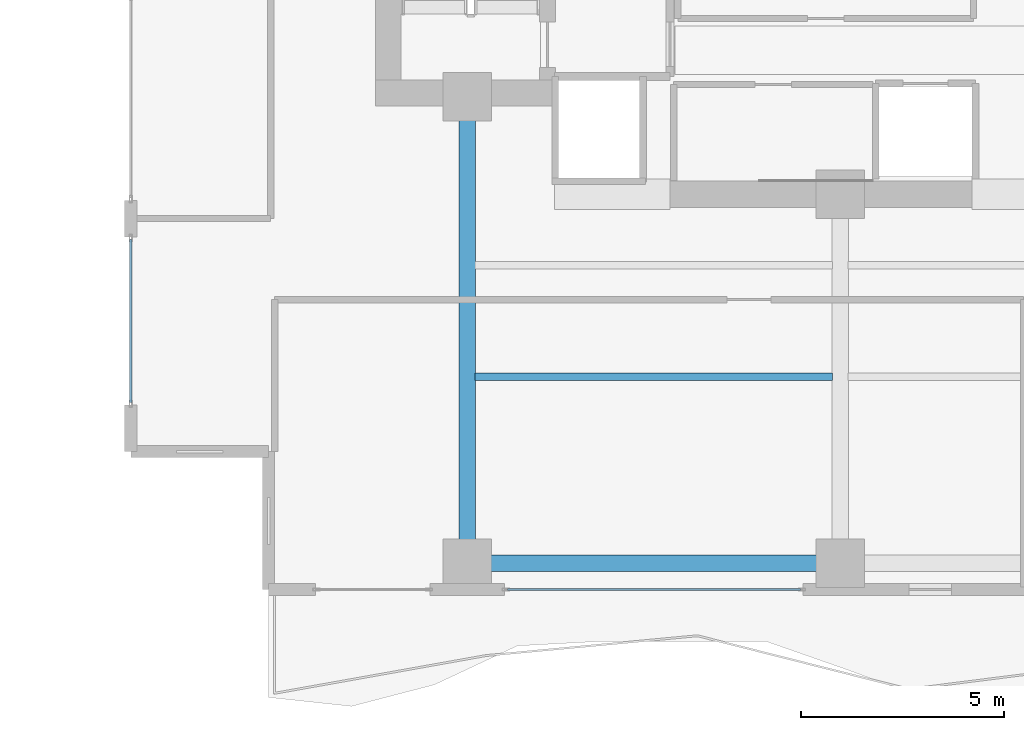
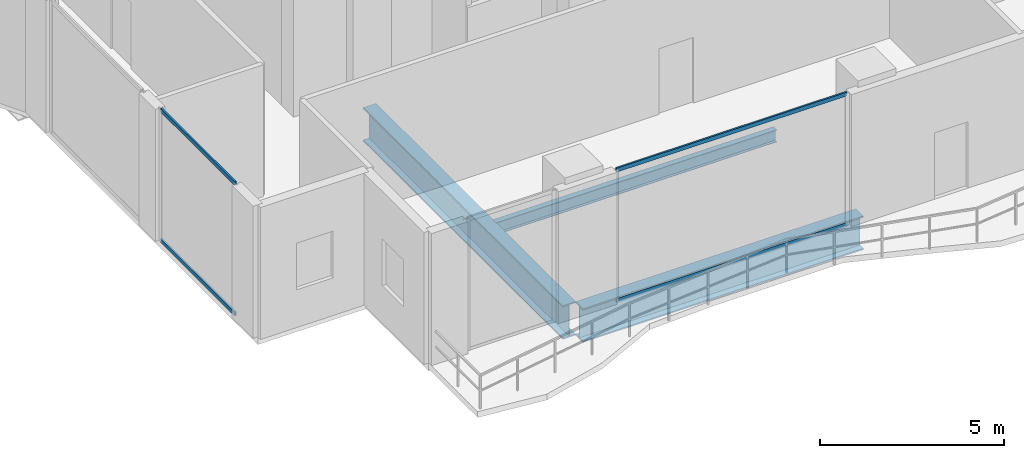
# One storey, part 3 of 33: 4 members, 3 beams, 2 elements without a shape of their own.
"""IFC4 building model written with IfcOpenShell, lengths in metres."""

from ifc_helpers import new_model, si_unit, direction, frame, origin, origin_2d, place, context, subcontext, project, spatial, hollow_rectangle, i_section, extrude, material, layer, layer_set, material_profile, profile_set, type_object, element, aggregate, save


model = new_model("IFC4")

# Units and contexts
model_context = context("Model", 3, precision=1e-05, world=origin(), true_north=direction((0.0, 1.0)))
body_context = subcontext(model_context, "Body", "Model", "MODEL_VIEW")
ifc_project = project(units=[si_unit("LENGTHUNIT", "METRE"), si_unit("AREAUNIT", "SQUARE_METRE"), si_unit("VOLUMEUNIT", "CUBIC_METRE"), si_unit("PLANEANGLEUNIT", "RADIAN"), si_unit("MASSUNIT", "GRAM", prefix="KILO")], contexts=[model_context])

# Site, building, storey
site_placement = place(None, origin())
site = spatial("IfcSite", under=ifc_project, at=site_placement, CompositionType="ELEMENT")
building_placement = place(site_placement, origin())
building = spatial("IfcBuilding", under=site, at=building_placement, Name="Zuhayl Quay Hotel", CompositionType="ELEMENT")
storey_placement = place(building_placement, frame((0.0, 0.0, 168.199951171875)))
storey = spatial("IfcBuildingStorey", under=building, at=storey_placement, Name="L42", CompositionType="ELEMENT", Elevation=168.199951171875)

# Beams
ifc_material_1 = material(Name="Steel ASTM A992 Grade 50", Category="steel")
ifc_material_profile_1 = material_profile(ifc_material_1, i_section(OverallWidth=0.177978515625, OverallDepth=0.406005859375, WebThickness=0.0078125, FlangeThickness=0.0126953125, at=origin_2d()), Name="W16X40")
ifc_profile_set_1 = profile_set([ifc_material_profile_1], Name="Steel ASTM A992 Grade 50")
beam_type_1 = type_object("IfcBeamType", Name="BM_J2B_W16X40", PredefinedType="JOIST", material=ifc_profile_set_1)
beam_1_placement = place(storey_placement, frame((-13.60595703125, -2.35009765625, -0.462890625), z_axis=(1.0, 0.0, 0.0), x_axis=(0.0, 1.0, 0.0)))
element("IfcBeam", 1, at=beam_1_placement, inside=storey, type_object=beam_type_1, Name="L42 Floor Beam FJ_L42_7_1", PredefinedType="JOIST", context=body_context, shape_type="SweptSolid", body=[
    extrude(i_section(OverallWidth=0.177978515625, OverallDepth=0.406005859375, WebThickness=0.0078125, FlangeThickness=0.0126953125, at=origin_2d()), origin(), (0.0, 0.0, 1.0), 8.81201171875),
])
ifc_material_2 = material(Name="Steel ASTM A913 Grade 65", Category="steel")
ifc_material_profile_2 = material_profile(ifc_material_2, i_section(OverallWidth=0.404052734375, OverallDepth=1.117919921875, WebThickness=0.026123046875, FlangeThickness=0.044921875, at=origin_2d()), Name="W44X335")
ifc_profile_set_2 = profile_set([ifc_material_profile_2], Name="Steel ASTM A913 Grade 65")
beam_type_2 = type_object("IfcBeamType", Name="BM_TG1_W44X335", PredefinedType="BEAM", material=ifc_profile_set_2)
beam_2_placement = place(storey_placement, frame((-13.60009765625, -6.949951171875, -0.81884765625), z_axis=(1.0, 0.0, 0.0), x_axis=(0.0, 1.0, 0.0)))
element("IfcBeam", 2, at=beam_2_placement, inside=storey, type_object=beam_type_2, Name="L42 Floor Beam RG_L42_01", PredefinedType="BEAM", context=body_context, shape_type="SweptSolid", body=[
    extrude(i_section(OverallWidth=0.404052734375, OverallDepth=1.117919921875, WebThickness=0.026123046875, FlangeThickness=0.044921875, at=origin_2d()), origin(), (0.0, 0.0, 1.0), 8.800048828125),
])
beam_3_placement = place(storey_placement, frame((-13.800048828125, -6.75, -0.81884765625), z_axis=(0.0, 1.0, 0.0), x_axis=(-1.0, 0.0, 0.0)))
element("IfcBeam", 3, at=beam_3_placement, inside=storey, type_object=beam_type_2, Name="L42 Floor Beam FG_S_L42_1", PredefinedType="BEAM", context=body_context, shape_type="SweptSolid", body=[
    extrude(i_section(OverallWidth=0.404052734375, OverallDepth=1.117919921875, WebThickness=0.026123046875, FlangeThickness=0.044921875, at=origin_2d()), origin(), (0.0, 0.0, 1.0), 10.85009765625),
])

# Curtain wall, members
ifc_material_3 = material(Name="Anodised Aluminium 6063-T6", Category="aluminium")
ifc_layer = layer(ifc_material_3, 0.175048828125, Name="Anodised Aluminium 6063-T6", Category="aluminium")
ifc_layer_set = layer_set([ifc_layer], Name="Anodised Aluminium 6063-T6")
curtain_wall_type = type_object("IfcCurtainWallType", Name="CW_SYS_Z3", PredefinedType="USERDEFINED", material=ifc_layer_set)
curtain_wall_1_placement = place(storey_placement, origin())
curtain_wall_1 = element("IfcCurtainWall", 4, at=curtain_wall_1_placement, inside=storey, type_object=curtain_wall_type, Name="L42 Curtain Wall ENV_L42_E02_CW1", ObjectType="UNITISED CURTAIN WALL", PredefinedType="USERDEFINED")
ifc_material_4 = material(Name="Black-anodised aluminium 6063-T6", Category="aluminium")
ifc_material_profile_3 = material_profile(ifc_material_4, hollow_rectangle(XDim=0.054931640625, YDim=0.1298828125, WallThickness=0.0029296875, at=origin_2d()), Name="ALU130X55")
ifc_profile_set_3 = profile_set([ifc_material_profile_3], Name="Black-anodised aluminium 6063-T6")
member_type = type_object("IfcMemberType", Name="MB_CW_TRN_130", PredefinedType="USERDEFINED", material=ifc_profile_set_3)
member_1_placement = place(storey_placement, frame((-22.10009765625, -2.985107421875, 0.027587890625), z_axis=(0.0, 1.0, 0.0), x_axis=(-1.0, 0.0, 0.0)))
member_1 = element("IfcMember", 5, at=member_1_placement, type_object=member_type, Name="CW-Z3 transom 1.1", ObjectType="TRANSOM", PredefinedType="USERDEFINED", context=body_context, shape_type="SweptSolid", body=[
    extrude(hollow_rectangle(XDim=0.054931640625, YDim=0.1298828125, WallThickness=0.0029296875, at=origin_2d()), origin(), (0.0, 0.0, 1.0), 4.02001953125),
])
member_2_placement = place(storey_placement, frame((-22.10009765625, -2.985107421875, 4.3525390625), z_axis=(0.0, 1.0, 0.0), x_axis=(-1.0, 0.0, 0.0)))
member_2 = element("IfcMember", 6, at=member_2_placement, type_object=member_type, Name="CW-Z3 transom 1.2", ObjectType="TRANSOM", PredefinedType="USERDEFINED", context=body_context, shape_type="SweptSolid", body=[
    extrude(hollow_rectangle(XDim=0.054931640625, YDim=0.1298828125, WallThickness=0.0029296875, at=origin_2d()), origin(), (0.0, 0.0, 1.0), 4.02001953125),
])
aggregate(curtain_wall_1, [member_1, member_2])

curtain_wall_2_placement = place(storey_placement, origin())
curtain_wall_2 = element("IfcCurtainWall", 7, at=curtain_wall_2_placement, inside=storey, type_object=curtain_wall_type, Name="L42 Curtain Wall ENV_L42_S_CW4", ObjectType="UNITISED CURTAIN WALL", PredefinedType="USERDEFINED")
member_3_placement = place(storey_placement, frame((-5.5849609375, -7.60009765625, 0.027587890625), z_axis=(-1.0, 0.0, 0.0), x_axis=(0.0, -1.0, 0.0)))
member_3 = element("IfcMember", 8, at=member_3_placement, type_object=member_type, Name="CW-Z3 transom 1.1", ObjectType="TRANSOM", PredefinedType="USERDEFINED", context=body_context, shape_type="SweptSolid", body=[
    extrude(hollow_rectangle(XDim=0.054931640625, YDim=0.1298828125, WallThickness=0.0029296875, at=origin_2d()), origin(), (0.0, 0.0, 1.0), 7.22998046875),
])
member_4_placement = place(storey_placement, frame((-5.5849609375, -7.60009765625, 4.3525390625), z_axis=(-1.0, 0.0, 0.0), x_axis=(0.0, -1.0, 0.0)))
member_4 = element("IfcMember", 9, at=member_4_placement, type_object=member_type, Name="CW-Z3 transom 1.2", ObjectType="TRANSOM", PredefinedType="USERDEFINED", context=body_context, shape_type="SweptSolid", body=[
    extrude(hollow_rectangle(XDim=0.054931640625, YDim=0.1298828125, WallThickness=0.0029296875, at=origin_2d()), origin(), (0.0, 0.0, 1.0), 7.22998046875),
])
aggregate(curtain_wall_2, [member_3, member_4])

save(model, "model.ifc")
